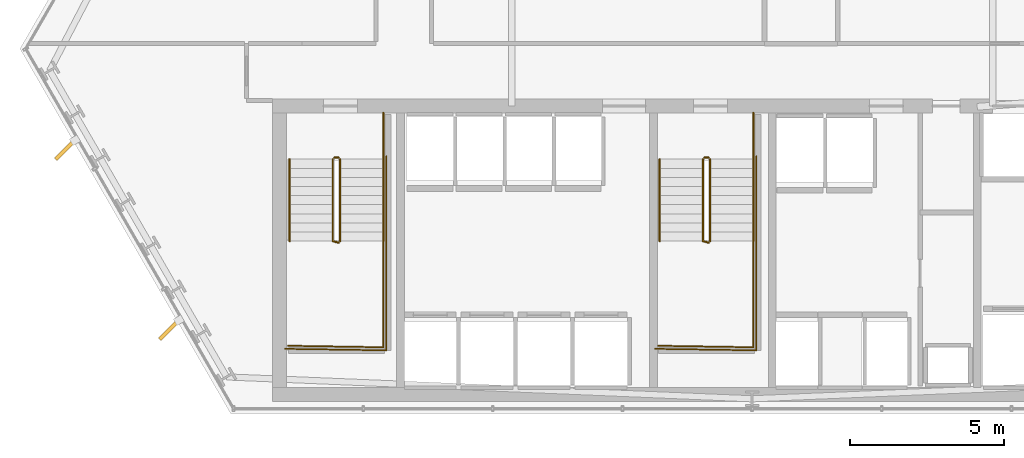
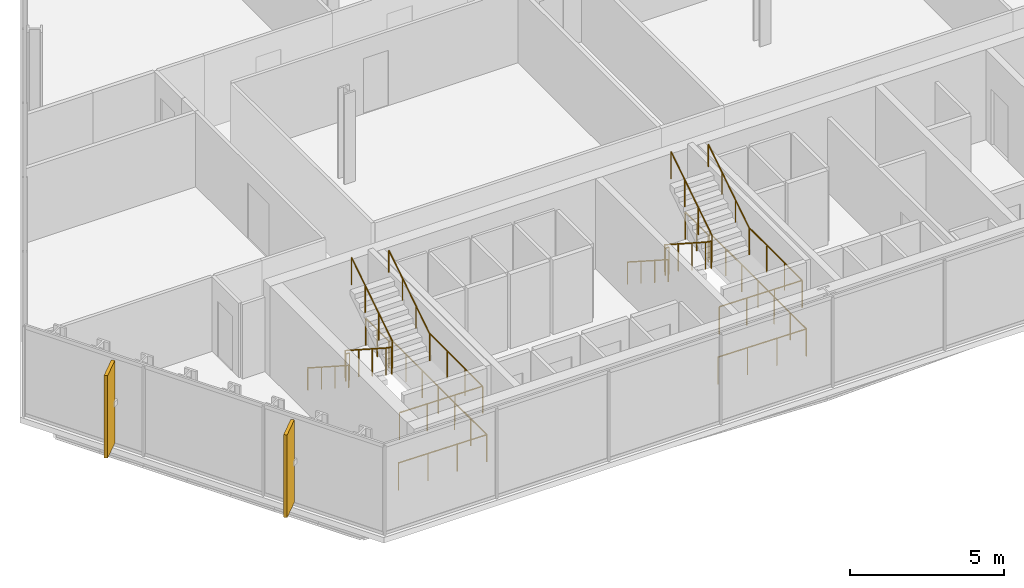
# One storey, part 28 of 31: 16 railings, 2 shading devices.
"""IFC4 building model written with IfcOpenShell, lengths in metres."""

from ifc_helpers import new_model, si_unit, direction, frame, origin, origin_2d, place, context, subcontext, project, spatial, rectangle, circle, extrude, material, layer, layer_set, type_object, element, save


model = new_model("IFC4")

# Units and contexts
model_context = context("Model", 3, precision=1e-05, world=origin(), true_north=direction((0.0, 1.0)))
body_context = subcontext(model_context, "Body", "Model", "MODEL_VIEW")
ifc_project = project(units=[si_unit("LENGTHUNIT", "METRE"), si_unit("AREAUNIT", "SQUARE_METRE"), si_unit("VOLUMEUNIT", "CUBIC_METRE"), si_unit("PLANEANGLEUNIT", "RADIAN"), si_unit("MASSUNIT", "GRAM", prefix="KILO")], contexts=[model_context])

# Site, building, storey
site_placement = place(None, origin())
site = spatial("IfcSite", under=ifc_project, at=site_placement, CompositionType="ELEMENT")
building_placement = place(site_placement, origin())
building = spatial("IfcBuilding", under=site, at=building_placement, Name="Ndaravel Arena Tower", CompositionType="ELEMENT")
storey_placement = place(building_placement, frame((0.0, 0.0, 104.39990234375)))
storey = spatial("IfcBuildingStorey", under=building, at=storey_placement, Name="L24", CompositionType="ELEMENT", Elevation=104.39990234375)

# Railings
ifc_material_1 = material(Name="Steel S355", Category="steel")
ifc_layer_1 = layer(ifc_material_1, 0.06005859375)
ifc_layer_set_1 = layer_set([ifc_layer_1], Name="Steel S355")
railing_type_1 = type_object("IfcRailingType", Name="RAIL-STAIR-GD1100", PredefinedType="GUARDRAIL", material=ifc_layer_set_1)
railing_1_placement = place(storey_placement, frame((28.39990234375, 13.25, 0.190185546875)))
element("IfcRailing", 1, at=railing_1_placement, inside=storey, type_object=railing_type_1, Name="L24 ST-1 stair guard 1", PredefinedType="GUARDRAIL", context=body_context, shape_type="SweptSolid", body=[
    extrude(circle(Radius=0.02392578125, at=origin_2d()), frame((0.0, 0.0, 1.076171875), z_axis=(0.0, -0.840723540582, 0.54146461409), x_axis=(1.0, 0.0, 0.0)), (0.0, 0.0, 1.0), 3.157958984375),
    extrude(circle(Radius=0.02392578125, at=origin_2d()), frame((0.0, -2.655029296875, 2.7861328125), z_axis=(0.967074537263, -0.25449329928, 0.0), x_axis=(0.25449329928, 0.967074537263, 0.0)), (0.0, 0.0, 1.0), 0.19677734375),
    extrude(circle(Radius=0.02099609375, at=origin_2d()), origin(), (0.0, 0.0, 1.0), 1.052001953125),
    extrude(circle(Radius=0.02099609375, at=origin_2d()), frame((0.0, -0.885009765625, 0.570068359375)), (0.0, 0.0, 1.0), 1.052001953125),
    extrude(circle(Radius=0.02099609375, at=origin_2d()), frame((0.0, -1.77001953125, 1.139892578125)), (0.0, 0.0, 1.0), 1.052001953125),
    extrude(circle(Radius=0.02099609375, at=origin_2d()), frame((0.0, -2.655029296875, 1.7099609375)), (0.0, 0.0, 1.0), 1.052001953125),
    extrude(circle(Radius=0.02099609375, at=origin_2d()), frame((0.190185546875, -2.705078125, 1.7099609375)), (0.0, 0.0, 1.0), 1.052001953125),
])
railing_2_placement = place(storey_placement, frame((30.0400390625, 10.594970703125, 1.900146484375)))
element("IfcRailing", 2, at=railing_2_placement, inside=storey, type_object=railing_type_1, Name="L24 ST-1 stair guard 2", PredefinedType="GUARDRAIL", context=body_context, shape_type="SweptSolid", body=[
    extrude(circle(Radius=0.02392578125, at=origin_2d()), frame((0.0, 0.0, 1.076171875), z_axis=(0.0, -1.0, 0.0), x_axis=(1.0, 0.0, 0.0)), (0.0, 0.0, 1.0), 3.445068359375),
    extrude(circle(Radius=0.02392578125, at=origin_2d()), frame((0.0, -3.445068359375, 1.076171875), z_axis=(-0.999868861343, 0.016194447071, 0.0), x_axis=(-0.016194447071, -0.999868861343, 0.0)), (0.0, 0.0, 1.0), 3.090576171875),
    extrude(circle(Radius=0.02099609375, at=origin_2d()), origin(), (0.0, 0.0, 1.0), 1.052001953125),
    extrude(circle(Radius=0.02099609375, at=origin_2d()), frame((0.0, -1.1484375, 0.0)), (0.0, 0.0, 1.0), 1.052001953125),
    extrude(circle(Radius=0.02099609375, at=origin_2d()), frame((0.0, -2.296630859375, 0.0)), (0.0, 0.0, 1.0), 1.052001953125),
    extrude(circle(Radius=0.02099609375, at=origin_2d()), frame((0.0, -3.445068359375, 0.0)), (0.0, 0.0, 1.0), 1.052001953125),
    extrude(circle(Radius=0.02099609375, at=origin_2d()), frame((-1.030029296875, -3.428466796875, 0.0)), (0.0, 0.0, 1.0), 1.052001953125),
    extrude(circle(Radius=0.02099609375, at=origin_2d()), frame((-2.06005859375, -3.41162109375, 0.0)), (0.0, 0.0, 1.0), 1.052001953125),
    extrude(circle(Radius=0.02099609375, at=origin_2d()), frame((-3.090087890625, -3.39501953125, 0.0)), (0.0, 0.0, 1.0), 1.052001953125),
])
railing_3_placement = place(storey_placement, frame((28.639892578125, 10.594970703125, 2.090087890625)))
element("IfcRailing", 3, at=railing_3_placement, inside=storey, type_object=railing_type_1, Name="L24 ST-1 stair guard 3", PredefinedType="GUARDRAIL", context=body_context, shape_type="SweptSolid", body=[
    extrude(circle(Radius=0.02392578125, at=origin_2d()), frame((0.0, 0.0, 1.076171875), z_axis=(0.0, 0.840723540582, 0.54146461409), x_axis=(-1.0, 0.0, 0.0)), (0.0, 0.0, 1.0), 3.157958984375),
    extrude(circle(Radius=0.02099609375, at=origin_2d()), origin(), (0.0, 0.0, 1.0), 1.052001953125),
    extrude(circle(Radius=0.02099609375, at=origin_2d()), frame((0.0, 0.885009765625, 0.570068359375)), (0.0, 0.0, 1.0), 1.052001953125),
    extrude(circle(Radius=0.02099609375, at=origin_2d()), frame((0.0, 1.77001953125, 1.139892578125)), (0.0, 0.0, 1.0), 1.052001953125),
    extrude(circle(Radius=0.02099609375, at=origin_2d()), frame((0.0, 2.655029296875, 1.7099609375)), (0.0, 0.0, 1.0), 1.052001953125),
])
railing_4_placement = place(storey_placement, frame((28.449951171875, 13.300048828125, 0.0)))
element("IfcRailing", 4, at=railing_4_placement, inside=storey, type_object=railing_type_1, Name="L24 ST-1 stair guard 4", PredefinedType="GUARDRAIL", context=body_context, shape_type="SweptSolid", body=[
    extrude(circle(Radius=0.02392578125, at=origin_2d()), frame((0.0, 0.0, 1.076171875), z_axis=(1.0, 0.0, 0.0), x_axis=(0.0, 1.0, 0.0)), (0.0, 0.0, 1.0), 0.14013671875),
    extrude(circle(Radius=0.02099609375, at=origin_2d()), origin(), (0.0, 0.0, 1.0), 1.052001953125),
    extrude(circle(Radius=0.02099609375, at=origin_2d()), frame((0.14013671875, 0.0, 0.0)), (0.0, 0.0, 1.0), 1.052001953125),
])
railing_5_placement = place(storey_placement, frame((30.0400390625, 14.75, 0.0)))
element("IfcRailing", 5, at=railing_5_placement, inside=storey, type_object=railing_type_1, Name="L24 ST-1 stair guard 5", PredefinedType="GUARDRAIL", context=body_context, shape_type="SweptSolid", body=[
    extrude(circle(Radius=0.02392578125, at=origin_2d()), frame((0.0, 0.0, 1.076171875), z_axis=(0.0, -1.0, 0.0), x_axis=(1.0, 0.0, 0.0)), (0.0, 0.0, 1.0), 1.5),
    extrude(circle(Radius=0.02099609375, at=origin_2d()), origin(), (0.0, 0.0, 1.0), 1.052001953125),
    extrude(circle(Radius=0.02099609375, at=origin_2d()), frame((0.0, -0.75, 0.0)), (0.0, 0.0, 1.0), 1.052001953125),
    extrude(circle(Radius=0.02099609375, at=origin_2d()), frame((0.0, -1.5, 0.0)), (0.0, 0.0, 1.0), 1.052001953125),
])
railing_6_placement = place(storey_placement, frame((30.139892578125, 13.35009765625, 0.0)))
element("IfcRailing", 6, at=railing_6_placement, inside=storey, type_object=railing_type_1, Name="L24 ST-1 stair guard 6", PredefinedType="GUARDRAIL", context=body_context, shape_type="SweptSolid", body=[
    extrude(circle(Radius=0.02392578125, at=origin_2d()), frame((0.0, 0.0, 1.076171875), z_axis=(0.0, -1.0, 0.0), x_axis=(1.0, 0.0, 0.0)), (0.0, 0.0, 1.0), 6.300048828125),
    extrude(circle(Radius=0.02392578125, at=origin_2d()), frame((0.0, -6.300048828125, 1.076171875), z_axis=(-0.999884296952, 0.015211597839, 0.0), x_axis=(-0.015211597839, -0.999884296952, 0.0)), (0.0, 0.0, 1.0), 3.290283203125),
    extrude(circle(Radius=0.02099609375, at=origin_2d()), origin(), (0.0, 0.0, 1.0), 1.052001953125),
    extrude(circle(Radius=0.02099609375, at=origin_2d()), frame((0.0, -1.050048828125, 0.0)), (0.0, 0.0, 1.0), 1.052001953125),
    extrude(circle(Radius=0.02099609375, at=origin_2d()), frame((0.0, -2.10009765625, 0.0)), (0.0, 0.0, 1.0), 1.052001953125),
    extrude(circle(Radius=0.02099609375, at=origin_2d()), frame((0.0, -3.14990234375, 0.0)), (0.0, 0.0, 1.0), 1.052001953125),
    extrude(circle(Radius=0.02099609375, at=origin_2d()), frame((0.0, -4.199951171875, 0.0)), (0.0, 0.0, 1.0), 1.052001953125),
    extrude(circle(Radius=0.02099609375, at=origin_2d()), frame((0.0, -5.25, 0.0)), (0.0, 0.0, 1.0), 1.052001953125),
    extrude(circle(Radius=0.02099609375, at=origin_2d()), frame((0.0, -6.300048828125, 0.0)), (0.0, 0.0, 1.0), 1.052001953125),
    extrude(circle(Radius=0.02099609375, at=origin_2d()), frame((-1.0966796875, -6.283447265625, 0.0)), (0.0, 0.0, 1.0), 1.052001953125),
    extrude(circle(Radius=0.02099609375, at=origin_2d()), frame((-2.193115234375, -6.2666015625, 0.0)), (0.0, 0.0, 1.0), 1.052001953125),
    extrude(circle(Radius=0.02099609375, at=origin_2d()), frame((-3.289794921875, -6.25, 0.0)), (0.0, 0.0, 1.0), 1.052001953125),
])
railing_7_placement = place(storey_placement, frame((40.39990234375, 13.25, 0.190185546875)))
element("IfcRailing", 7, at=railing_7_placement, inside=storey, type_object=railing_type_1, Name="L24 ST-2 stair guard 1", PredefinedType="GUARDRAIL", context=body_context, shape_type="SweptSolid", body=[
    extrude(circle(Radius=0.02392578125, at=origin_2d()), frame((0.0, 0.0, 1.076171875), z_axis=(0.0, -0.840723540582, 0.54146461409), x_axis=(1.0, 0.0, 0.0)), (0.0, 0.0, 1.0), 3.157958984375),
    extrude(circle(Radius=0.02392578125, at=origin_2d()), frame((0.0, -2.655029296875, 2.7861328125), z_axis=(0.967074537263, -0.25449329928, 0.0), x_axis=(0.25449329928, 0.967074537263, 0.0)), (0.0, 0.0, 1.0), 0.19677734375),
    extrude(circle(Radius=0.02099609375, at=origin_2d()), origin(), (0.0, 0.0, 1.0), 1.052001953125),
    extrude(circle(Radius=0.02099609375, at=origin_2d()), frame((0.0, -0.885009765625, 0.570068359375)), (0.0, 0.0, 1.0), 1.052001953125),
    extrude(circle(Radius=0.02099609375, at=origin_2d()), frame((0.0, -1.77001953125, 1.139892578125)), (0.0, 0.0, 1.0), 1.052001953125),
    extrude(circle(Radius=0.02099609375, at=origin_2d()), frame((0.0, -2.655029296875, 1.7099609375)), (0.0, 0.0, 1.0), 1.052001953125),
    extrude(circle(Radius=0.02099609375, at=origin_2d()), frame((0.190185546875, -2.705078125, 1.7099609375)), (0.0, 0.0, 1.0), 1.052001953125),
])
railing_8_placement = place(storey_placement, frame((42.0400390625, 10.594970703125, 1.900146484375)))
element("IfcRailing", 8, at=railing_8_placement, inside=storey, type_object=railing_type_1, Name="L24 ST-2 stair guard 2", PredefinedType="GUARDRAIL", context=body_context, shape_type="SweptSolid", body=[
    extrude(circle(Radius=0.02392578125, at=origin_2d()), frame((0.0, 0.0, 1.076171875), z_axis=(0.0, -1.0, 0.0), x_axis=(1.0, 0.0, 0.0)), (0.0, 0.0, 1.0), 3.445068359375),
    extrude(circle(Radius=0.02392578125, at=origin_2d()), frame((0.0, -3.445068359375, 1.076171875), z_axis=(-0.999868861343, 0.016194447071, 0.0), x_axis=(-0.016194447071, -0.999868861343, 0.0)), (0.0, 0.0, 1.0), 3.090576171875),
    extrude(circle(Radius=0.02099609375, at=origin_2d()), origin(), (0.0, 0.0, 1.0), 1.052001953125),
    extrude(circle(Radius=0.02099609375, at=origin_2d()), frame((0.0, -1.1484375, 0.0)), (0.0, 0.0, 1.0), 1.052001953125),
    extrude(circle(Radius=0.02099609375, at=origin_2d()), frame((0.0, -2.296630859375, 0.0)), (0.0, 0.0, 1.0), 1.052001953125),
    extrude(circle(Radius=0.02099609375, at=origin_2d()), frame((0.0, -3.445068359375, 0.0)), (0.0, 0.0, 1.0), 1.052001953125),
    extrude(circle(Radius=0.02099609375, at=origin_2d()), frame((-1.030029296875, -3.428466796875, 0.0)), (0.0, 0.0, 1.0), 1.052001953125),
    extrude(circle(Radius=0.02099609375, at=origin_2d()), frame((-2.06005859375, -3.41162109375, 0.0)), (0.0, 0.0, 1.0), 1.052001953125),
    extrude(circle(Radius=0.02099609375, at=origin_2d()), frame((-3.090087890625, -3.39501953125, 0.0)), (0.0, 0.0, 1.0), 1.052001953125),
])
railing_9_placement = place(storey_placement, frame((40.639892578125, 10.594970703125, 2.090087890625)))
element("IfcRailing", 9, at=railing_9_placement, inside=storey, type_object=railing_type_1, Name="L24 ST-2 stair guard 3", PredefinedType="GUARDRAIL", context=body_context, shape_type="SweptSolid", body=[
    extrude(circle(Radius=0.02392578125, at=origin_2d()), frame((0.0, 0.0, 1.076171875), z_axis=(0.0, 0.840723540582, 0.54146461409), x_axis=(-1.0, 0.0, 0.0)), (0.0, 0.0, 1.0), 3.157958984375),
    extrude(circle(Radius=0.02099609375, at=origin_2d()), origin(), (0.0, 0.0, 1.0), 1.052001953125),
    extrude(circle(Radius=0.02099609375, at=origin_2d()), frame((0.0, 0.885009765625, 0.570068359375)), (0.0, 0.0, 1.0), 1.052001953125),
    extrude(circle(Radius=0.02099609375, at=origin_2d()), frame((0.0, 1.77001953125, 1.139892578125)), (0.0, 0.0, 1.0), 1.052001953125),
    extrude(circle(Radius=0.02099609375, at=origin_2d()), frame((0.0, 2.655029296875, 1.7099609375)), (0.0, 0.0, 1.0), 1.052001953125),
])
railing_10_placement = place(storey_placement, frame((40.449951171875, 13.300048828125, 0.0)))
element("IfcRailing", 10, at=railing_10_placement, inside=storey, type_object=railing_type_1, Name="L24 ST-2 stair guard 4", PredefinedType="GUARDRAIL", context=body_context, shape_type="SweptSolid", body=[
    extrude(circle(Radius=0.02392578125, at=origin_2d()), frame((0.0, 0.0, 1.076171875), z_axis=(1.0, 0.0, 0.0), x_axis=(0.0, 1.0, 0.0)), (0.0, 0.0, 1.0), 0.14013671875),
    extrude(circle(Radius=0.02099609375, at=origin_2d()), origin(), (0.0, 0.0, 1.0), 1.052001953125),
    extrude(circle(Radius=0.02099609375, at=origin_2d()), frame((0.14013671875, 0.0, 0.0)), (0.0, 0.0, 1.0), 1.052001953125),
])
railing_11_placement = place(storey_placement, frame((42.0400390625, 14.75, 0.0)))
element("IfcRailing", 11, at=railing_11_placement, inside=storey, type_object=railing_type_1, Name="L24 ST-2 stair guard 5", PredefinedType="GUARDRAIL", context=body_context, shape_type="SweptSolid", body=[
    extrude(circle(Radius=0.02392578125, at=origin_2d()), frame((0.0, 0.0, 1.076171875), z_axis=(0.0, -1.0, 0.0), x_axis=(1.0, 0.0, 0.0)), (0.0, 0.0, 1.0), 1.5),
    extrude(circle(Radius=0.02099609375, at=origin_2d()), origin(), (0.0, 0.0, 1.0), 1.052001953125),
    extrude(circle(Radius=0.02099609375, at=origin_2d()), frame((0.0, -0.75, 0.0)), (0.0, 0.0, 1.0), 1.052001953125),
    extrude(circle(Radius=0.02099609375, at=origin_2d()), frame((0.0, -1.5, 0.0)), (0.0, 0.0, 1.0), 1.052001953125),
])
railing_12_placement = place(storey_placement, frame((42.139892578125, 13.35009765625, 0.0)))
element("IfcRailing", 12, at=railing_12_placement, inside=storey, type_object=railing_type_1, Name="L24 ST-2 stair guard 6", PredefinedType="GUARDRAIL", context=body_context, shape_type="SweptSolid", body=[
    extrude(circle(Radius=0.02392578125, at=origin_2d()), frame((0.0, 0.0, 1.076171875), z_axis=(0.0, -1.0, 0.0), x_axis=(1.0, 0.0, 0.0)), (0.0, 0.0, 1.0), 6.300048828125),
    extrude(circle(Radius=0.02392578125, at=origin_2d()), frame((0.0, -6.300048828125, 1.076171875), z_axis=(-0.999884296952, 0.015211597839, 0.0), x_axis=(-0.015211597839, -0.999884296952, 0.0)), (0.0, 0.0, 1.0), 3.290283203125),
    extrude(circle(Radius=0.02099609375, at=origin_2d()), origin(), (0.0, 0.0, 1.0), 1.052001953125),
    extrude(circle(Radius=0.02099609375, at=origin_2d()), frame((0.0, -1.050048828125, 0.0)), (0.0, 0.0, 1.0), 1.052001953125),
    extrude(circle(Radius=0.02099609375, at=origin_2d()), frame((0.0, -2.10009765625, 0.0)), (0.0, 0.0, 1.0), 1.052001953125),
    extrude(circle(Radius=0.02099609375, at=origin_2d()), frame((0.0, -3.14990234375, 0.0)), (0.0, 0.0, 1.0), 1.052001953125),
    extrude(circle(Radius=0.02099609375, at=origin_2d()), frame((0.0, -4.199951171875, 0.0)), (0.0, 0.0, 1.0), 1.052001953125),
    extrude(circle(Radius=0.02099609375, at=origin_2d()), frame((0.0, -5.25, 0.0)), (0.0, 0.0, 1.0), 1.052001953125),
    extrude(circle(Radius=0.02099609375, at=origin_2d()), frame((0.0, -6.300048828125, 0.0)), (0.0, 0.0, 1.0), 1.052001953125),
    extrude(circle(Radius=0.02099609375, at=origin_2d()), frame((-1.0966796875, -6.283447265625, 0.0)), (0.0, 0.0, 1.0), 1.052001953125),
    extrude(circle(Radius=0.02099609375, at=origin_2d()), frame((-2.193115234375, -6.2666015625, 0.0)), (0.0, 0.0, 1.0), 1.052001953125),
    extrude(circle(Radius=0.02099609375, at=origin_2d()), frame((-3.289794921875, -6.25, 0.0)), (0.0, 0.0, 1.0), 1.052001953125),
])
ifc_material_2 = material(Name="Steel S355", Category="steel")
ifc_layer_2 = layer(ifc_material_2, 0.050048828125)
ifc_layer_set_2 = layer_set([ifc_layer_2], Name="Steel S355")
railing_type_2 = type_object("IfcRailingType", Name="RAIL-STAIR-HR920", PredefinedType="HANDRAIL", material=ifc_layer_set_2)
railing_13_placement = place(storey_placement, frame((27.0, 13.25, 0.190185546875)))
element("IfcRailing", 13, at=railing_13_placement, inside=storey, type_object=railing_type_2, Name="L24 ST-1 stair handrail 1", PredefinedType="HANDRAIL", context=body_context, shape_type="SweptSolid", body=[
    extrude(circle(Radius=0.02392578125, at=origin_2d()), frame((0.0, 0.0, 0.8759765625), z_axis=(0.0, -0.840723540582, 0.54146461409), x_axis=(1.0, 0.0, 0.0)), (0.0, 0.0, 1.0), 3.157958984375),
    extrude(circle(Radius=0.02099609375, at=origin_2d()), origin(), (0.0, 0.0, 1.0), 0.851806640625),
    extrude(circle(Radius=0.02099609375, at=origin_2d()), frame((0.0, -0.885009765625, 0.570068359375)), (0.0, 0.0, 1.0), 0.851806640625),
    extrude(circle(Radius=0.02099609375, at=origin_2d()), frame((0.0, -1.77001953125, 1.139892578125)), (0.0, 0.0, 1.0), 0.851806640625),
    extrude(circle(Radius=0.02099609375, at=origin_2d()), frame((0.0, -2.655029296875, 1.7099609375)), (0.0, 0.0, 1.0), 0.851806640625),
])
railing_14_placement = place(storey_placement, frame((30.0400390625, 10.594970703125, 2.090087890625)))
element("IfcRailing", 14, at=railing_14_placement, inside=storey, type_object=railing_type_2, Name="L24 ST-1 stair handrail 2", PredefinedType="HANDRAIL", context=body_context, shape_type="SweptSolid", body=[
    extrude(circle(Radius=0.02392578125, at=origin_2d()), frame((0.0, 0.0, 0.8759765625), z_axis=(0.0, 0.840723540582, 0.54146461409), x_axis=(-1.0, 0.0, 0.0)), (0.0, 0.0, 1.0), 3.157958984375),
    extrude(circle(Radius=0.02099609375, at=origin_2d()), origin(), (0.0, 0.0, 1.0), 0.851806640625),
    extrude(circle(Radius=0.02099609375, at=origin_2d()), frame((0.0, 0.885009765625, 0.570068359375)), (0.0, 0.0, 1.0), 0.851806640625),
    extrude(circle(Radius=0.02099609375, at=origin_2d()), frame((0.0, 1.77001953125, 1.139892578125)), (0.0, 0.0, 1.0), 0.851806640625),
    extrude(circle(Radius=0.02099609375, at=origin_2d()), frame((0.0, 2.655029296875, 1.7099609375)), (0.0, 0.0, 1.0), 0.851806640625),
])
railing_15_placement = place(storey_placement, frame((39.0, 13.25, 0.190185546875)))
element("IfcRailing", 15, at=railing_15_placement, inside=storey, type_object=railing_type_2, Name="L24 ST-2 stair handrail 1", PredefinedType="HANDRAIL", context=body_context, shape_type="SweptSolid", body=[
    extrude(circle(Radius=0.02392578125, at=origin_2d()), frame((0.0, 0.0, 0.8759765625), z_axis=(0.0, -0.840723540582, 0.54146461409), x_axis=(1.0, 0.0, 0.0)), (0.0, 0.0, 1.0), 3.157958984375),
    extrude(circle(Radius=0.02099609375, at=origin_2d()), origin(), (0.0, 0.0, 1.0), 0.851806640625),
    extrude(circle(Radius=0.02099609375, at=origin_2d()), frame((0.0, -0.885009765625, 0.570068359375)), (0.0, 0.0, 1.0), 0.851806640625),
    extrude(circle(Radius=0.02099609375, at=origin_2d()), frame((0.0, -1.77001953125, 1.139892578125)), (0.0, 0.0, 1.0), 0.851806640625),
    extrude(circle(Radius=0.02099609375, at=origin_2d()), frame((0.0, -2.655029296875, 1.7099609375)), (0.0, 0.0, 1.0), 0.851806640625),
])
railing_16_placement = place(storey_placement, frame((42.0400390625, 10.594970703125, 2.090087890625)))
element("IfcRailing", 16, at=railing_16_placement, inside=storey, type_object=railing_type_2, Name="L24 ST-2 stair handrail 2", PredefinedType="HANDRAIL", context=body_context, shape_type="SweptSolid", body=[
    extrude(circle(Radius=0.02392578125, at=origin_2d()), frame((0.0, 0.0, 0.8759765625), z_axis=(0.0, 0.840723540582, 0.54146461409), x_axis=(-1.0, 0.0, 0.0)), (0.0, 0.0, 1.0), 3.157958984375),
    extrude(circle(Radius=0.02099609375, at=origin_2d()), origin(), (0.0, 0.0, 1.0), 0.851806640625),
    extrude(circle(Radius=0.02099609375, at=origin_2d()), frame((0.0, 0.885009765625, 0.570068359375)), (0.0, 0.0, 1.0), 0.851806640625),
    extrude(circle(Radius=0.02099609375, at=origin_2d()), frame((0.0, 1.77001953125, 1.139892578125)), (0.0, 0.0, 1.0), 0.851806640625),
    extrude(circle(Radius=0.02099609375, at=origin_2d()), frame((0.0, 2.655029296875, 1.7099609375)), (0.0, 0.0, 1.0), 0.851806640625),
])

# Shading devices
ifc_material_3 = material(Name="Masonry", Category="masonry")
shading_device_type = type_object("IfcShadingDeviceType", Name="SHD-MAZERAS-FIN", PredefinedType="SHUTTER", material=ifc_material_3)
for number, where, z_axis, x_axis, name in (
    (17, (19.73095703125, 13.56201171875, 0.14990234375), (0.0, 0.0, 1.0), (-0.707106781187, -0.707106781187, 0.0), "L24 Mazeras Stone Solar Fin E6.1"),
    (18, (23.1005859375, 7.7255859375, 0.14990234375), (0.0, 0.0, 1.0), (-0.707106781187, -0.707106781187, 0.0), "L24 Mazeras Stone Solar Fin E6.2"),
):
    element("IfcShadingDevice", number, at=place(storey_placement, frame(where, z_axis=z_axis, x_axis=x_axis)), inside=storey, type_object=shading_device_type, Name=name, PredefinedType="SHUTTER", context=body_context, shape_type="SweptSolid", body=[
        extrude(rectangle(XDim=0.89990234375, YDim=0.1201171875, at=origin_2d()), origin(), (0.0, 0.0, 1.0), 3.280029296875),
    ])

save(model, "model.ifc")
